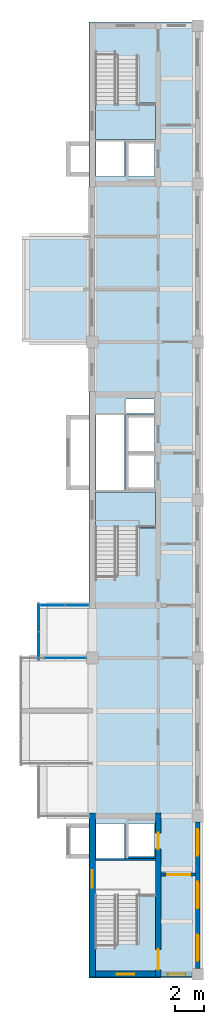
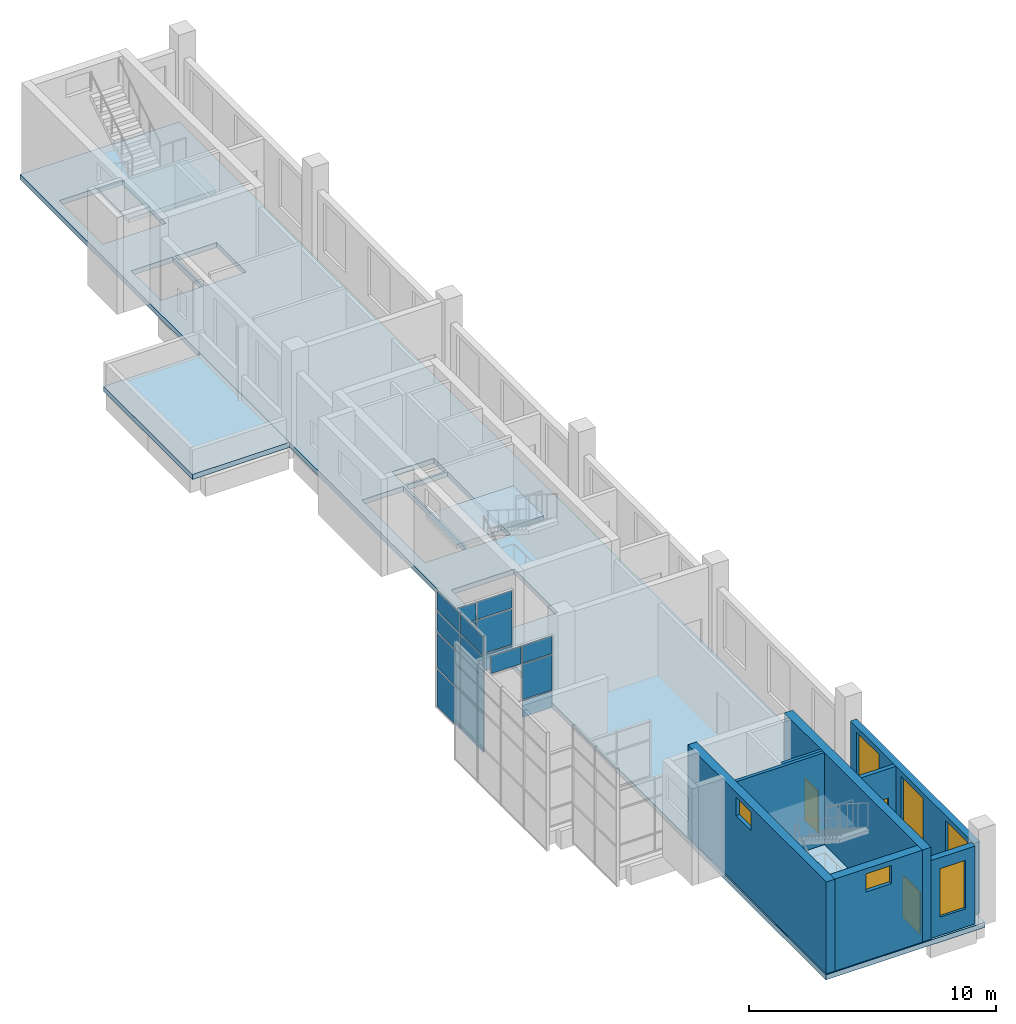
# One storey, part 5 of 9: 18 plates, 8 walls, 6 windows, 4 slabs, 3 doors, 9 openings, 5 elements without a shape of their own.
"""IFC4 building model written with IfcOpenShell, lengths in metres."""

from ifc_helpers import new_model, si_unit, direction, frame, frame_2d, origin, origin_2d, place, context, subcontext, project, spatial, polyline, rectangle, outline, extrude, material, layer, layer_set, type_object, element, fill, aggregate, save


model = new_model("IFC4")

# Units and contexts
model_context = context("Model", 3, precision=1e-05, world=origin(), true_north=direction((0.0, 1.0)))
body_context = subcontext(model_context, "Body", "Model", "MODEL_VIEW")
ifc_project = project(units=[si_unit("LENGTHUNIT", "METRE"), si_unit("AREAUNIT", "SQUARE_METRE"), si_unit("VOLUMEUNIT", "CUBIC_METRE"), si_unit("PLANEANGLEUNIT", "RADIAN"), si_unit("MASSUNIT", "GRAM", prefix="KILO")], contexts=[model_context])

# Site, building, storey
site_placement = place(None, origin())
site = spatial("IfcSite", under=ifc_project, at=site_placement, CompositionType="ELEMENT")
building_placement = place(site_placement, origin())
building = spatial("IfcBuilding", under=site, at=building_placement, Name="Basin Gate Institute", CompositionType="ELEMENT")
storey_placement = place(building_placement, frame((0.0, 0.0, 70.199951171875)))
storey = spatial("IfcBuildingStorey", under=building, at=storey_placement, Name="L14", CompositionType="ELEMENT", Elevation=70.199951171875)

# Slabs
ifc_material_1 = material(Name="Concrete 40 MPa", Category="concrete")
ifc_layer_1 = layer(ifc_material_1, 0.25)
ifc_layer_set_1 = layer_set([ifc_layer_1], Name="Concrete 40 MPa")
slab_type_1 = type_object("IfcSlabType", Name="Slab RS4 R60", PredefinedType="ROOF", material=ifc_layer_set_1)
slab_1_placement = place(storey_placement, frame((0.0, 0.0, -0.25)))
element("IfcSlab", 1, at=slab_1_placement, inside=storey, type_object=slab_type_1, material=ifc_layer_set_1, Name="SLAB/L14/WK22", PredefinedType="ROOF", context=body_context, shape_type="SweptSolid", body=[
    extrude(outline(polyline([(60.949951171875, 78.300048828125), (56.39990234375, 78.300048828125), (56.39990234375, 85.5), (60.949951171875, 85.5), (60.949951171875, 78.300048828125)])), origin(), (0.0, 0.0, 1.0), 0.25),
])
ifc_material_2 = material(Name="Concrete 40 MPa", Category="concrete")
ifc_layer_2 = layer(ifc_material_2, 0.25)
ifc_layer_set_2 = layer_set([ifc_layer_2], Name="Concrete 40 MPa")
slab_type_2 = type_object("IfcSlabType", Name="Slab SL4 R60", PredefinedType="FLOOR", material=ifc_layer_set_2)
slab_2_placement = place(storey_placement, frame((0.0, 0.0, -0.25)))
element("IfcSlab", 2, at=slab_2_placement, inside=storey, type_object=slab_type_2, material=ifc_layer_set_2, Name="SLAB/L14/W", PredefinedType="FLOOR", context=body_context, shape_type="SweptSolid", body=[
    extrude(outline(polyline([(60.949951171875, 34.85009765625), (68.39990234375, 34.85009765625), (68.39990234375, 100.14990234375), (60.949951171875, 100.14990234375), (60.949951171875, 34.85009765625)]), holes=[polyline([(61.39990234375, 37.25), (64.35009765625, 37.25), (64.35009765625, 40.7900390625), (61.39990234375, 40.7900390625), (61.39990234375, 37.25)]), polyline([(61.39990234375, 62.449951171875), (64.35009765625, 62.449951171875), (64.35009765625, 65.989990234375), (61.39990234375, 65.989990234375), (61.39990234375, 62.449951171875)]), polyline([(61.39990234375, 94.2099609375), (64.35009765625, 94.2099609375), (64.35009765625, 97.75), (61.39990234375, 97.75), (61.39990234375, 94.2099609375)]), polyline([(61.449951171875, 43.0), (63.39990234375, 43.0), (63.39990234375, 45.39990234375), (61.449951171875, 45.39990234375), (61.449951171875, 43.0)]), polyline([(61.449951171875, 68.199951171875), (63.39990234375, 68.199951171875), (63.39990234375, 73.300048828125), (61.449951171875, 73.300048828125), (61.449951171875, 68.199951171875)]), polyline([(63.5, 73.39990234375), (65.449951171875, 73.39990234375), (65.449951171875, 74.39990234375), (63.5, 74.39990234375), (63.5, 73.39990234375)]), polyline([(61.449951171875, 89.60009765625), (63.39990234375, 89.60009765625), (63.39990234375, 92.0), (61.449951171875, 92.0), (61.449951171875, 89.60009765625)]), polyline([(63.5, 43.0), (65.449951171875, 43.0), (65.449951171875, 45.39990234375), (63.5, 45.39990234375), (63.5, 43.0)]), polyline([(65.449951171875, 68.199951171875), (63.5, 68.199951171875), (63.5, 73.300048828125), (65.449951171875, 73.300048828125), (65.449951171875, 68.199951171875)]), polyline([(63.5, 89.60009765625), (65.449951171875, 89.60009765625), (65.449951171875, 92.0), (63.5, 92.0), (63.5, 89.60009765625)])]), origin(), (0.0, 0.0, 1.0), 0.25),
])

# Curtain wall, plate
ifc_material_3 = material(Name="Aluminium-framed glazing", Category="aluminium")
ifc_layer_3 = layer(ifc_material_3, 0.14990234375)
ifc_layer_set_3 = layer_set([ifc_layer_3], Name="Capsule front curtain wall CW1")
curtain_wall_type = type_object("IfcCurtainWallType", Name="Capsule front curtain wall CW1", PredefinedType="NOTDEFINED", material=ifc_layer_set_3)
curtain_wall_1_placement = place(storey_placement, origin())
curtain_wall_1 = element("IfcCurtainWall", 3, at=curtain_wall_1_placement, inside=storey, type_object=curtain_wall_type, material=ifc_layer_set_3, Name="Capsule front curtain wall W wing capsule end L14 line 7", PredefinedType="NOTDEFINED")
ifc_material_4 = material(Name="Aluminium insulated spandrel panel", Category="aluminium")
ifc_layer_4 = layer(ifc_material_4, 0.050048828125)
ifc_layer_set_4 = layer_set([ifc_layer_4], Name="Spandrel panel PN2")
plate_type_1 = type_object("IfcPlateType", Name="Spandrel panel PN2", PredefinedType="CURTAIN_PANEL", material=ifc_layer_set_4)
plate_1_placement = place(storey_placement, frame((60.05419921875, 56.699951171875, 0.06005859375), z_axis=(0.0, 0.0, 1.0), x_axis=(1.0, 0.0, 0.0)))
plate_1 = element("IfcPlate", 4, at=plate_1_placement, type_object=plate_type_1, material=ifc_layer_set_4, Name="CW1 spandrel panel 3.1", PredefinedType="CURTAIN_PANEL", context=body_context, shape_type="SweptSolid", body=[
    extrude(rectangle(XDim=1.3916015625, YDim=0.050048828125, at=origin_2d()), origin(), (0.0, 0.0, 1.0), 0.81005859375),
])

# Curtain wall, plates
curtain_wall_2_placement = place(storey_placement, origin())
curtain_wall_2 = element("IfcCurtainWall", 5, at=curtain_wall_2_placement, inside=storey, type_object=curtain_wall_type, material=ifc_layer_set_3, Name="Capsule front curtain wall W wing capsule end L14 line 8", PredefinedType="NOTDEFINED")
plate_2_placement = place(storey_placement, frame((58.46240234375, 60.300048828125, 0.06005859375), z_axis=(0.0, 0.0, 1.0), x_axis=(1.0, 0.0, 0.0)))
plate_2 = element("IfcPlate", 6, at=plate_2_placement, type_object=plate_type_1, material=ifc_layer_set_4, Name="CW1 spandrel panel 1.1", PredefinedType="CURTAIN_PANEL", context=body_context, shape_type="SweptSolid", body=[
    extrude(rectangle(XDim=1.625, YDim=0.050048828125, at=origin_2d()), origin(), (0.0, 0.0, 1.0), 0.81005859375),
])
plate_3_placement = place(storey_placement, frame((60.137451171875, 60.300048828125, 0.06005859375), z_axis=(0.0, 0.0, 1.0), x_axis=(1.0, 0.0, 0.0)))
plate_3 = element("IfcPlate", 7, at=plate_3_placement, type_object=plate_type_1, material=ifc_layer_set_4, Name="CW1 spandrel panel 2.1", PredefinedType="CURTAIN_PANEL", context=body_context, shape_type="SweptSolid", body=[
    extrude(rectangle(XDim=1.625, YDim=0.050048828125, at=origin_2d()), origin(), (0.0, 0.0, 1.0), 0.81005859375),
])

curtain_wall_3_placement = place(storey_placement, origin())
curtain_wall_3 = element("IfcCurtainWall", 8, at=curtain_wall_3_placement, inside=storey, type_object=curtain_wall_type, material=ifc_layer_set_3, Name="Capsule front curtain wall W wing capsule 1 L14 front 4", PredefinedType="NOTDEFINED")
plate_4_placement = place(storey_placement, frame((57.52490234375, 57.53759765625, -0.990234375), z_axis=(0.0, 0.0, 1.0), x_axis=(0.0, 1.0, 0.0)))
plate_4 = element("IfcPlate", 9, at=plate_4_placement, type_object=plate_type_1, material=ifc_layer_set_4, Name="CW1 spandrel panel 1.1", PredefinedType="CURTAIN_PANEL", context=body_context, shape_type="SweptSolid", body=[
    extrude(rectangle(XDim=1.875, YDim=0.050048828125, at=origin_2d()), origin(), (0.0, 0.0, 1.0), 1.860107421875),
])
plate_5_placement = place(storey_placement, frame((57.52490234375, 57.53759765625, 3.780029296875), z_axis=(0.0, 0.0, 1.0), x_axis=(0.0, 1.0, 0.0)))
plate_5 = element("IfcPlate", 10, at=plate_5_placement, type_object=plate_type_1, material=ifc_layer_set_4, Name="CW1 spandrel panel 1.4", PredefinedType="CURTAIN_PANEL", context=body_context, shape_type="SweptSolid", body=[
    extrude(rectangle(XDim=1.875, YDim=0.050048828125, at=origin_2d()), origin(), (0.0, 0.0, 1.0), 0.9599609375),
])
plate_6_placement = place(storey_placement, frame((57.52490234375, 59.46240234375, -0.990234375), z_axis=(0.0, 0.0, 1.0), x_axis=(0.0, 1.0, 0.0)))
plate_6 = element("IfcPlate", 11, at=plate_6_placement, type_object=plate_type_1, material=ifc_layer_set_4, Name="CW1 spandrel panel 2.1", PredefinedType="CURTAIN_PANEL", context=body_context, shape_type="SweptSolid", body=[
    extrude(rectangle(XDim=1.875, YDim=0.050048828125, at=origin_2d()), origin(), (0.0, 0.0, 1.0), 1.860107421875),
])
plate_7_placement = place(storey_placement, frame((57.52490234375, 59.46240234375, 3.780029296875), z_axis=(0.0, 0.0, 1.0), x_axis=(0.0, 1.0, 0.0)))
plate_7 = element("IfcPlate", 12, at=plate_7_placement, type_object=plate_type_1, material=ifc_layer_set_4, Name="CW1 spandrel panel 2.4", PredefinedType="CURTAIN_PANEL", context=body_context, shape_type="SweptSolid", body=[
    extrude(rectangle(XDim=1.875, YDim=0.050048828125, at=origin_2d()), origin(), (0.0, 0.0, 1.0), 0.9599609375),
])

# Stair, slab
ifc_material_5 = material(Name="Concrete 40 MPa", Category="concrete")
stair_type = type_object("IfcStairType", Name="Stair ST", PredefinedType="HALF_TURN_STAIR", material=ifc_material_5)
stair_1_placement = place(storey_placement, origin())
stair_1 = element("IfcStair", 13, at=stair_1_placement, inside=storey, type_object=stair_type, material=ifc_material_5, Name="Special safe stair ST-WM L14", PredefinedType="HALF_TURN_STAIR")
ifc_material_6 = material(Name="Concrete 40 MPa", Category="concrete")
ifc_layer_5 = layer(ifc_material_6, 0.199951171875)
ifc_layer_set_5 = layer_set([ifc_layer_5], Name="Concrete 40 MPa")
slab_type_3 = type_object("IfcSlabType", Name="Stair landing LN REI 60", PredefinedType="LANDING", material=ifc_layer_set_5)
slab_3_placement = place(storey_placement, frame((0.0, 0.0, 2.288818359375)))
slab_3 = element("IfcSlab", 14, at=slab_3_placement, type_object=slab_type_3, material=ifc_layer_set_5, Name="Stair landing ST-WM-L1 L14", PredefinedType="LANDING", context=body_context, shape_type="SweptSolid", body=[
    extrude(outline(polyline([(61.39990234375, 65.570068359375), (65.5, 65.570068359375), (65.5, 68.050048828125), (61.39990234375, 68.050048828125), (61.39990234375, 65.570068359375)])), origin(), (0.0, 0.0, 1.0), 0.2001953125),
])
aggregate(stair_1, [slab_3])

stair_2_placement = place(storey_placement, origin())
stair_2 = element("IfcStair", 15, at=stair_2_placement, inside=storey, type_object=stair_type, material=ifc_material_5, Name="Special safe stair ST-WN L14", PredefinedType="HALF_TURN_STAIR")
slab_4_placement = place(storey_placement, frame((0.0, 0.0, 2.288818359375)))
slab_4 = element("IfcSlab", 16, at=slab_4_placement, type_object=slab_type_3, material=ifc_layer_set_5, Name="Stair landing ST-WN-L1 L14", PredefinedType="LANDING", context=body_context, shape_type="SweptSolid", body=[
    extrude(outline(polyline([(61.39990234375, 92.14990234375), (65.5, 92.14990234375), (65.5, 94.6298828125), (61.39990234375, 94.6298828125), (61.39990234375, 92.14990234375)])), origin(), (0.0, 0.0, 1.0), 0.2001953125),
])
aggregate(stair_2, [slab_4])

# Plate
ifc_material_7 = material(Name="Double glazed unit")
ifc_layer_6 = layer(ifc_material_7, 0.028076171875)
ifc_layer_set_6 = layer_set([ifc_layer_6], Name="Vision panel PN1")
plate_type_2 = type_object("IfcPlateType", Name="Vision panel PN1", PredefinedType="CURTAIN_PANEL", material=ifc_layer_set_6)
plate_8_placement = place(storey_placement, frame((58.60009765625, 56.699951171875, 2.72998046875), z_axis=(0.0, 0.0, 1.0), x_axis=(1.0, 0.0, 0.0)))
plate_8 = element("IfcPlate", 17, at=plate_8_placement, type_object=plate_type_2, material=ifc_layer_set_6, Name="CW1 vision panel 2.3", PredefinedType="CURTAIN_PANEL", context=body_context, shape_type="SweptSolid", body=[
    extrude(rectangle(XDim=1.416748046875, YDim=0.028076171875, at=origin_2d()), origin(), (0.0, 0.0, 1.0), 0.860107421875),
])

plate_9_placement = place(storey_placement, frame((60.05419921875, 56.699951171875, 0.93017578125), z_axis=(0.0, 0.0, 1.0), x_axis=(1.0, 0.0, 0.0)))
plate_9 = element("IfcPlate", 18, at=plate_9_placement, type_object=plate_type_2, material=ifc_layer_set_6, Name="CW1 vision panel 3.2", PredefinedType="CURTAIN_PANEL", context=body_context, shape_type="SweptSolid", body=[
    extrude(rectangle(XDim=1.3916015625, YDim=0.028076171875, at=origin_2d()), origin(), (0.0, 0.0, 1.0), 1.739990234375),
])

plate_10_placement = place(storey_placement, frame((60.05419921875, 56.699951171875, 2.72998046875), z_axis=(0.0, 0.0, 1.0), x_axis=(1.0, 0.0, 0.0)))
plate_10 = element("IfcPlate", 19, at=plate_10_placement, type_object=plate_type_2, material=ifc_layer_set_6, Name="CW1 vision panel 3.3", PredefinedType="CURTAIN_PANEL", context=body_context, shape_type="SweptSolid", body=[
    extrude(rectangle(XDim=1.3916015625, YDim=0.028076171875, at=origin_2d()), origin(), (0.0, 0.0, 1.0), 0.860107421875),
])

aggregate(curtain_wall_1, [plate_8, plate_1, plate_9, plate_10])

plate_11_placement = place(storey_placement, frame((58.46240234375, 60.300048828125, 0.93017578125), z_axis=(0.0, 0.0, 1.0), x_axis=(1.0, 0.0, 0.0)))
plate_11 = element("IfcPlate", 20, at=plate_11_placement, type_object=plate_type_2, material=ifc_layer_set_6, Name="CW1 vision panel 1.2", PredefinedType="CURTAIN_PANEL", context=body_context, shape_type="SweptSolid", body=[
    extrude(rectangle(XDim=1.625, YDim=0.028076171875, at=origin_2d()), origin(), (0.0, 0.0, 1.0), 1.739990234375),
])

plate_12_placement = place(storey_placement, frame((58.46240234375, 60.300048828125, 2.72998046875), z_axis=(0.0, 0.0, 1.0), x_axis=(1.0, 0.0, 0.0)))
plate_12 = element("IfcPlate", 21, at=plate_12_placement, type_object=plate_type_2, material=ifc_layer_set_6, Name="CW1 vision panel 1.3", PredefinedType="CURTAIN_PANEL", context=body_context, shape_type="SweptSolid", body=[
    extrude(rectangle(XDim=1.625, YDim=0.028076171875, at=origin_2d()), origin(), (0.0, 0.0, 1.0), 0.860107421875),
])

plate_13_placement = place(storey_placement, frame((60.137451171875, 60.300048828125, 0.93017578125), z_axis=(0.0, 0.0, 1.0), x_axis=(1.0, 0.0, 0.0)))
plate_13 = element("IfcPlate", 22, at=plate_13_placement, type_object=plate_type_2, material=ifc_layer_set_6, Name="CW1 vision panel 2.2", PredefinedType="CURTAIN_PANEL", context=body_context, shape_type="SweptSolid", body=[
    extrude(rectangle(XDim=1.625, YDim=0.028076171875, at=origin_2d()), origin(), (0.0, 0.0, 1.0), 1.739990234375),
])

plate_14_placement = place(storey_placement, frame((60.137451171875, 60.300048828125, 2.72998046875), z_axis=(0.0, 0.0, 1.0), x_axis=(1.0, 0.0, 0.0)))
plate_14 = element("IfcPlate", 23, at=plate_14_placement, type_object=plate_type_2, material=ifc_layer_set_6, Name="CW1 vision panel 2.3", PredefinedType="CURTAIN_PANEL", context=body_context, shape_type="SweptSolid", body=[
    extrude(rectangle(XDim=1.625, YDim=0.028076171875, at=origin_2d()), origin(), (0.0, 0.0, 1.0), 0.860107421875),
])

aggregate(curtain_wall_2, [plate_2, plate_11, plate_12, plate_3, plate_13, plate_14])

plate_15_placement = place(storey_placement, frame((57.52490234375, 57.53759765625, 0.93017578125), z_axis=(0.0, 0.0, 1.0), x_axis=(0.0, 1.0, 0.0)))
plate_15 = element("IfcPlate", 24, at=plate_15_placement, type_object=plate_type_2, material=ifc_layer_set_6, Name="CW1 vision panel 1.2", PredefinedType="CURTAIN_PANEL", context=body_context, shape_type="SweptSolid", body=[
    extrude(rectangle(XDim=1.875, YDim=0.028076171875, at=origin_2d()), origin(), (0.0, 0.0, 1.0), 1.739990234375),
])

plate_16_placement = place(storey_placement, frame((57.52490234375, 57.53759765625, 2.72998046875), z_axis=(0.0, 0.0, 1.0), x_axis=(0.0, 1.0, 0.0)))
plate_16 = element("IfcPlate", 25, at=plate_16_placement, type_object=plate_type_2, material=ifc_layer_set_6, Name="CW1 vision panel 1.3", PredefinedType="CURTAIN_PANEL", context=body_context, shape_type="SweptSolid", body=[
    extrude(rectangle(XDim=1.875, YDim=0.028076171875, at=origin_2d()), origin(), (0.0, 0.0, 1.0), 0.989990234375),
])

plate_17_placement = place(storey_placement, frame((57.52490234375, 59.46240234375, 0.93017578125), z_axis=(0.0, 0.0, 1.0), x_axis=(0.0, 1.0, 0.0)))
plate_17 = element("IfcPlate", 26, at=plate_17_placement, type_object=plate_type_2, material=ifc_layer_set_6, Name="CW1 vision panel 2.2", PredefinedType="CURTAIN_PANEL", context=body_context, shape_type="SweptSolid", body=[
    extrude(rectangle(XDim=1.875, YDim=0.028076171875, at=origin_2d()), origin(), (0.0, 0.0, 1.0), 1.739990234375),
])

plate_18_placement = place(storey_placement, frame((57.52490234375, 59.46240234375, 2.72998046875), z_axis=(0.0, 0.0, 1.0), x_axis=(0.0, 1.0, 0.0)))
plate_18 = element("IfcPlate", 27, at=plate_18_placement, type_object=plate_type_2, material=ifc_layer_set_6, Name="CW1 vision panel 2.3", PredefinedType="CURTAIN_PANEL", context=body_context, shape_type="SweptSolid", body=[
    extrude(rectangle(XDim=1.875, YDim=0.028076171875, at=origin_2d()), origin(), (0.0, 0.0, 1.0), 0.989990234375),
])

aggregate(curtain_wall_3, [plate_4, plate_15, plate_16, plate_5, plate_6, plate_17, plate_18, plate_7])

# Wall, opening, door
ifc_material_8 = material(Name="Fire-rated masonry", Category="masonry")
ifc_layer_7 = layer(ifc_material_8, 0.199951171875)
ifc_layer_set_7 = layer_set([ifc_layer_7], Name="Enclosure wall PW2 200 EI 60")
wall_type_1 = type_object("IfcWallType", Name="Enclosure wall PW2 200 EI 60", PredefinedType="PARTITIONING", material=ifc_layer_set_7)
wall_1_placement = place(storey_placement, frame((65.89990234375, 41.89990234375, 0.0), z_axis=(0.0, 0.0, 1.0), x_axis=(1.0, 0.0, 0.0)))
wall_1 = element("IfcWall", 28, at=wall_1_placement, inside=storey, type_object=wall_type_1, material=ifc_layer_set_7, Name="Smoke lobby enclosure wall PW2 L14", PredefinedType="PARTITIONING", context=body_context, shape_type="SweptSolid", body=[
    extrude(rectangle(XDim=2.35009765625, YDim=0.199951171875, at=frame_2d((1.175048828125, 0.0))), origin(), (0.0, 0.0, 1.0), 3.550048828125),
])
opening_1_placement = place(wall_1_placement, frame((0.39990234375, 0.0, 0.0)))
opening_1 = element("IfcOpeningElement", 29, at=opening_1_placement, cuts=wall_1, Name="Opening DR525", PredefinedType="OPENING", context=body_context, shape_type="SweptSolid", body=[
    extrude(rectangle(XDim=1.60009765625, YDim=2.10009765625, at=frame_2d((0.800048828125, 1.050048828125))), frame((0.0, 0.10986328125, 0.0), z_axis=(0.0, -1.0, 0.0), x_axis=(1.0, 0.0, 0.0)), (0.0, 0.0, 1.0), 0.219970703125),
])
ifc_material_9 = material(Name="Steel fire door", Category="steel")
door_type_1 = type_object("IfcDoorType", Name="FD60 Smoke lobby door pair D8", OperationType="DOUBLE_DOOR_SINGLE_SWING", PredefinedType="DOOR", material=ifc_material_9)
door_1_placement = place(opening_1_placement, frame((1.60009765625, 0.0, 0.0), z_axis=(0.0, 0.0, 1.0), x_axis=(-1.0, 0.0, 0.0)))
door_1 = element("IfcDoor", 30, at=door_1_placement, inside=storey, type_object=door_type_1, material=ifc_material_9, Name="Smoke lobby door SS1 L14", OperationType="DOUBLE_DOOR_SINGLE_SWING", OverallHeight=2.10009765625, OverallWidth=1.60009765625, PredefinedType="DOOR", context=body_context, shape_type="SweptSolid", body=[
    extrude(rectangle(XDim=1.60009765625, YDim=2.10009765625, at=frame_2d((0.800048828125, 1.050048828125))), frame((0.0, 0.02490234375, 0.0), z_axis=(0.0, -1.0, 0.0), x_axis=(1.0, 0.0, 0.0)), (0.0, 0.0, 1.0), 0.050048828125),
])
fill(opening_1, door_1)

# Wall, opening, window
ifc_material_10 = material(Name="Aluminium-faced insulated panel wall", Category="aluminium")
ifc_layer_8 = layer(ifc_material_10, 0.300048828125)
ifc_layer_set_8 = layer_set([ifc_layer_8], Name="External wall EW5 EI 60")
wall_type_2 = type_object("IfcWallType", Name="External wall EW5 EI 60", PredefinedType="STANDARD", material=ifc_layer_set_8)
wall_2_placement = place(storey_placement, frame((65.89990234375, 35.10009765625, 0.0), z_axis=(0.0, 0.0, 1.0), x_axis=(1.0, 0.0, 0.0)))
wall_2 = element("IfcWall", 31, at=wall_2_placement, inside=storey, type_object=wall_type_2, material=ifc_layer_set_8, Name="External end wall W wing south L14 1", PredefinedType="STANDARD", context=body_context, shape_type="SweptSolid", body=[
    extrude(rectangle(XDim=2.10009765625, YDim=0.300048828125, at=frame_2d((1.050048828125, 0.0))), origin(), (0.0, 0.0, 1.0), 3.85009765625),
])
opening_2_placement = place(wall_2_placement, frame((0.449951171875, 0.0, 0.89990234375)))
opening_2 = element("IfcOpeningElement", 32, at=opening_2_placement, cuts=wall_2, Name="Opening WN4", PredefinedType="OPENING", context=body_context, shape_type="SweptSolid", body=[
    extrude(rectangle(XDim=1.199951171875, YDim=2.39990234375, at=frame_2d((0.60009765625, 1.199951171875))), frame((0.0, 0.16015625, 0.0), z_axis=(0.0, -1.0, 0.0), x_axis=(1.0, 0.0, 0.0)), (0.0, 0.0, 1.0), 0.320068359375),
])
ifc_material_11 = material(Name="Aluminium-framed double glazing", Category="aluminium")
window_type_1 = type_object("IfcWindowType", Name="Corridor end window WN4", PartitioningType="SINGLE_PANEL", PredefinedType="WINDOW", material=ifc_material_11)
window_1_placement = place(opening_2_placement, origin())
window_1 = element("IfcWindow", 33, at=window_1_placement, inside=storey, type_object=window_type_1, material=ifc_material_11, Name="Corridor end window W wing S L14", OverallHeight=2.39990234375, OverallWidth=1.199951171875, PartitioningType="SINGLE_PANEL", PredefinedType="WINDOW", context=body_context, shape_type="SweptSolid", body=[
    extrude(rectangle(XDim=1.199951171875, YDim=2.39990234375, at=frame_2d((0.60009765625, 1.199951171875))), frame((0.0, 0.030029296875, 0.0), z_axis=(0.0, -1.0, 0.0), x_axis=(1.0, 0.0, 0.0)), (0.0, 0.0, 1.0), 0.06005859375),
])
fill(opening_2, window_1)

# Wall, openings, windows
wall_3_placement = place(storey_placement, frame((68.39990234375, 35.5, 0.0), z_axis=(0.0, 0.0, 1.0), x_axis=(0.0, 1.0, 0.0)))
wall_3 = element("IfcWall", 34, at=wall_3_placement, inside=storey, type_object=wall_type_2, material=ifc_layer_set_8, Name="External wall W step face L14 bay 1", PredefinedType="STANDARD", context=body_context, shape_type="SweptSolid", body=[
    extrude(rectangle(XDim=10.0, YDim=0.300048828125, at=frame_2d((5.0, 0.0))), origin(), (0.0, 0.0, 1.0), 3.550048828125),
])
opening_3_placement = place(wall_3_placement, frame((0.5, 0.0, 0.89990234375)))
opening_3 = element("IfcOpeningElement", 35, at=opening_3_placement, cuts=wall_3, Name="Opening WN6", PredefinedType="OPENING", context=body_context, shape_type="SweptSolid", body=[
    extrude(rectangle(XDim=1.800048828125, YDim=2.39990234375, at=frame_2d((0.89990234375, 1.199951171875))), frame((0.0, 0.16015625, 0.0), z_axis=(0.0, -1.0, 0.0), x_axis=(1.0, 0.0, 0.0)), (0.0, 0.0, 1.0), 0.320068359375),
])
opening_4_placement = place(wall_3_placement, frame((4.10009765625, 0.0, 0.89990234375)))
opening_4 = element("IfcOpeningElement", 36, at=opening_4_placement, cuts=wall_3, Name="Opening WN6", PredefinedType="OPENING", context=body_context, shape_type="SweptSolid", body=[
    extrude(rectangle(XDim=1.800048828125, YDim=2.39990234375, at=frame_2d((0.89990234375, 1.199951171875))), frame((0.0, 0.16015625, 0.0), z_axis=(0.0, -1.0, 0.0), x_axis=(1.0, 0.0, 0.0)), (0.0, 0.0, 1.0), 0.320068359375),
])
opening_5_placement = place(wall_3_placement, frame((7.699951171875, 0.0, 0.89990234375)))
opening_5 = element("IfcOpeningElement", 37, at=opening_5_placement, cuts=wall_3, Name="Opening WN6", PredefinedType="OPENING", context=body_context, shape_type="SweptSolid", body=[
    extrude(rectangle(XDim=1.800048828125, YDim=2.39990234375, at=frame_2d((0.89990234375, 1.199951171875))), frame((0.0, 0.16015625, 0.0), z_axis=(0.0, -1.0, 0.0), x_axis=(1.0, 0.0, 0.0)), (0.0, 0.0, 1.0), 0.320068359375),
])
ifc_material_12 = material(Name="Fire-resistant glazing in steel-free frame", Category="steel")
window_type_2 = type_object("IfcWindowType", Name="Fire-rated fixed step window WN6", PartitioningType="SINGLE_PANEL", PredefinedType="WINDOW", material=ifc_material_12)
window_2_placement = place(opening_3_placement, origin())
window_2 = element("IfcWindow", 38, at=window_2_placement, inside=storey, type_object=window_type_2, material=ifc_material_12, Name="Fire-rated fixed step window W step face L14 bay 1.1", OverallHeight=2.39990234375, OverallWidth=1.800048828125, PartitioningType="SINGLE_PANEL", PredefinedType="WINDOW", context=body_context, shape_type="SweptSolid", body=[
    extrude(rectangle(XDim=1.800048828125, YDim=2.39990234375, at=frame_2d((0.89990234375, 1.199951171875))), frame((0.0, 0.030029296875, 0.0), z_axis=(0.0, -1.0, 0.0), x_axis=(1.0, 0.0, 0.0)), (0.0, 0.0, 1.0), 0.06005859375),
])
fill(opening_3, window_2)
window_3_placement = place(opening_4_placement, origin())
window_3 = element("IfcWindow", 39, at=window_3_placement, inside=storey, type_object=window_type_2, material=ifc_material_12, Name="Fire-rated fixed step window W step face L14 bay 1.2", OverallHeight=2.39990234375, OverallWidth=1.800048828125, PartitioningType="SINGLE_PANEL", PredefinedType="WINDOW", context=body_context, shape_type="SweptSolid", body=[
    extrude(rectangle(XDim=1.800048828125, YDim=2.39990234375, at=frame_2d((0.89990234375, 1.199951171875))), frame((0.0, 0.030029296875, 0.0), z_axis=(0.0, -1.0, 0.0), x_axis=(1.0, 0.0, 0.0)), (0.0, 0.0, 1.0), 0.06005859375),
])
fill(opening_4, window_3)
window_4_placement = place(opening_5_placement, origin())
window_4 = element("IfcWindow", 40, at=window_4_placement, inside=storey, type_object=window_type_2, material=ifc_material_12, Name="Fire-rated fixed step window W step face L14 bay 1.3", OverallHeight=2.39990234375, OverallWidth=1.800048828125, PartitioningType="SINGLE_PANEL", PredefinedType="WINDOW", context=body_context, shape_type="SweptSolid", body=[
    extrude(rectangle(XDim=1.800048828125, YDim=2.39990234375, at=frame_2d((0.89990234375, 1.199951171875))), frame((0.0, 0.030029296875, 0.0), z_axis=(0.0, -1.0, 0.0), x_axis=(1.0, 0.0, 0.0)), (0.0, 0.0, 1.0), 0.06005859375),
])
fill(opening_5, window_4)

# Walls
ifc_material_13 = material(Name="Concrete 40 MPa", Category="concrete")
ifc_layer_9 = layer(ifc_material_13, 0.14990234375)
ifc_layer_set_9 = layer_set([ifc_layer_9], Name="Concrete 40 MPa")
wall_type_3 = type_object("IfcWallType", Name="Wall LS1 lift shaft enclosure R60", PredefinedType="SOLIDWALL", material=ifc_layer_set_9)
wall_4_placement = place(storey_placement, frame((63.64990234375, 43.074951171875, 0.0), z_axis=(0.0, 0.0, 1.0), x_axis=(1.0, 0.0, 0.0)))
element("IfcWall", 41, at=wall_4_placement, inside=storey, type_object=wall_type_3, material=ifc_layer_set_9, Name="Lift shaft enclosure LP1 L14 RL", PredefinedType="SOLIDWALL", context=body_context, shape_type="SweptSolid", body=[
    extrude(rectangle(XDim=1.85009765625, YDim=0.14990234375, at=frame_2d((0.925048828125, 0.0))), origin(), (0.0, 0.0, 1.0), 4.550048828125),
])
ifc_material_14 = material(Name="Concrete 40 MPa", Category="concrete")
ifc_layer_10 = layer(ifc_material_14, 0.14990234375)
ifc_layer_set_10 = layer_set([ifc_layer_10], Name="Concrete 40 MPa")
wall_type_4 = type_object("IfcWallType", Name="Wall SE1 stair enclosure R60", PredefinedType="SOLIDWALL", material=ifc_layer_set_10)
wall_5_placement = place(storey_placement, frame((61.39990234375, 42.925048828125, 0.0), z_axis=(0.0, 0.0, 1.0), x_axis=(1.0, 0.0, 0.0)))
element("IfcWall", 42, at=wall_5_placement, inside=storey, type_object=wall_type_4, material=ifc_layer_set_10, Name="Stair enclosure wall ST-WS L14", PredefinedType="SOLIDWALL", context=body_context, shape_type="SweptSolid", body=[
    extrude(rectangle(XDim=4.10009765625, YDim=0.14990234375, at=frame_2d((2.050048828125, 0.0))), origin(), (0.0, 0.0, 1.0), 4.550048828125),
])

# Wall, opening, window
ifc_material_15 = material(Name="Concrete 50 MPa", Category="concrete")
ifc_layer_11 = layer(ifc_material_15, 0.39990234375)
ifc_layer_set_11 = layer_set([ifc_layer_11], Name="Concrete 50 MPa")
wall_type_5 = type_object("IfcWallType", Name="Wall SW2 R60", PredefinedType="SHEAR", material=ifc_layer_set_11)
wall_6_placement = place(storey_placement, frame((61.199951171875, 34.89990234375, 0.0), z_axis=(0.0, 0.0, 1.0), x_axis=(0.0, 1.0, 0.0)))
wall_6 = element("IfcWall", 43, at=wall_6_placement, inside=storey, type_object=wall_type_5, material=ifc_layer_set_11, Name="WALL/L14/WS/L", PredefinedType="SHEAR", context=body_context, shape_type="SweptSolid", body=[
    extrude(rectangle(XDim=11.2001953125, YDim=0.39990234375, at=frame_2d((5.60009765625, 0.0))), origin(), (0.0, 0.0, 1.0), 4.550048828125),
])
opening_6_placement = place(wall_6_placement, frame((6.110107421875, 0.0, 3.39990234375)))
opening_6 = element("IfcOpeningElement", 44, at=opening_6_placement, cuts=wall_6, Name="Opening WT3", PredefinedType="OPENING", context=body_context, shape_type="SweptSolid", body=[
    extrude(rectangle(XDim=1.199951171875, YDim=0.89990234375, at=frame_2d((0.60009765625, 0.449951171875))), frame((0.0, 0.2099609375, 0.0), z_axis=(0.0, -1.0, 0.0), x_axis=(1.0, 0.0, 0.0)), (0.0, 0.0, 1.0), 0.419921875),
])
ifc_material_16 = material(Name="Fire-resistant glazing in steel-free frame", Category="steel")
window_type_3 = type_object("IfcWindowType", Name="Rated stair window EI 60 WT3", PartitioningType="SINGLE_PANEL", PredefinedType="WINDOW", material=ifc_material_16)
window_5_placement = place(opening_6_placement, origin())
window_5 = element("IfcWindow", 45, at=window_5_placement, inside=storey, type_object=window_type_3, material=ifc_material_16, Name="Rated stair window EI 60 WS landing L14", OverallHeight=0.89990234375, OverallWidth=1.199951171875, PartitioningType="SINGLE_PANEL", PredefinedType="WINDOW", context=body_context, shape_type="SweptSolid", body=[
    extrude(rectangle(XDim=1.199951171875, YDim=0.89990234375, at=frame_2d((0.60009765625, 0.449951171875))), frame((0.0, 0.030029296875, 0.0), z_axis=(0.0, -1.0, 0.0), x_axis=(1.0, 0.0, 0.0)), (0.0, 0.0, 1.0), 0.06005859375),
])
fill(opening_6, window_5)

# Wall, openings, doors
wall_7_placement = place(storey_placement, frame((65.699951171875, 34.89990234375, 0.0), z_axis=(0.0, 0.0, 1.0), x_axis=(0.0, 1.0, 0.0)))
wall_7 = element("IfcWall", 46, at=wall_7_placement, inside=storey, type_object=wall_type_5, material=ifc_layer_set_11, Name="WALL/L14/WS/C", PredefinedType="SHEAR", context=body_context, shape_type="SweptSolid", body=[
    extrude(rectangle(XDim=11.2001953125, YDim=0.39990234375, at=frame_2d((5.60009765625, 0.0))), origin(), (0.0, 0.0, 1.0), 4.550048828125),
])
opening_7_placement = place(wall_7_placement, frame((0.5, 0.0, 0.0)))
opening_7 = element("IfcOpeningElement", 47, at=opening_7_placement, cuts=wall_7, Name="Opening DS070", PredefinedType="OPENING", context=body_context, shape_type="SweptSolid", body=[
    extrude(rectangle(XDim=1.39990234375, YDim=2.10009765625, at=frame_2d((0.699951171875, 1.050048828125))), frame((0.0, 0.2099609375, 0.0), z_axis=(0.0, -1.0, 0.0), x_axis=(1.0, 0.0, 0.0)), (0.0, 0.0, 1.0), 0.419921875),
])
opening_8_placement = place(wall_7_placement, frame((8.75, 0.0, 0.0)))
opening_8 = element("IfcOpeningElement", 48, at=opening_8_placement, cuts=wall_7, Name="Opening LD017", PredefinedType="OPENING", context=body_context, shape_type="SweptSolid", body=[
    extrude(rectangle(XDim=1.10009765625, YDim=2.10009765625, at=frame_2d((0.550048828125, 1.050048828125))), frame((0.0, 0.2099609375, 0.0), z_axis=(0.0, -1.0, 0.0), x_axis=(1.0, 0.0, 0.0)), (0.0, 0.0, 1.0), 0.419921875),
])
ifc_material_17 = material(Name="Steel fire door", Category="steel")
door_type_2 = type_object("IfcDoorType", Name="FD30 Stair enclosure door DS", OperationType="DOUBLE_DOOR_SINGLE_SWING", PredefinedType="DOOR", material=ifc_material_17)
door_2_placement = place(opening_7_placement, origin())
door_2 = element("IfcDoor", 49, at=door_2_placement, inside=storey, type_object=door_type_2, material=ifc_material_17, Name="Stair enclosure door ST-WS L14", OperationType="DOUBLE_DOOR_SINGLE_SWING", OverallHeight=2.10009765625, OverallWidth=1.39990234375, PredefinedType="DOOR", context=body_context, shape_type="SweptSolid", body=[
    extrude(rectangle(XDim=1.39990234375, YDim=2.10009765625, at=frame_2d((0.699951171875, 1.050048828125))), frame((0.0, 0.02490234375, 0.0), z_axis=(0.0, -1.0, 0.0), x_axis=(1.0, 0.0, 0.0)), (0.0, 0.0, 1.0), 0.050048828125),
])
fill(opening_7, door_2)
ifc_material_18 = material(Name="Stainless steel", Category="steel")
door_type_3 = type_object("IfcDoorType", Name="FD60 Lift landing door LD", OperationType="SLIDING_TO_LEFT", PredefinedType="DOOR", material=ifc_material_18)
door_3_placement = place(opening_8_placement, origin())
door_3 = element("IfcDoor", 50, at=door_3_placement, inside=storey, type_object=door_type_3, material=ifc_material_18, Name="Lift landing door LP1 L14", OperationType="SLIDING_TO_LEFT", OverallHeight=2.10009765625, OverallWidth=1.10009765625, PredefinedType="DOOR", context=body_context, shape_type="SweptSolid", body=[
    extrude(rectangle(XDim=1.10009765625, YDim=2.10009765625, at=frame_2d((0.550048828125, 1.050048828125))), frame((0.0, 0.02490234375, 0.0), z_axis=(0.0, -1.0, 0.0), x_axis=(1.0, 0.0, 0.0)), (0.0, 0.0, 1.0), 0.050048828125),
])
fill(opening_8, door_3)

# Wall, opening, window
wall_8_placement = place(storey_placement, frame((61.39990234375, 35.10009765625, 0.0), z_axis=(0.0, 0.0, 1.0), x_axis=(1.0, 0.0, 0.0)))
wall_8 = element("IfcWall", 51, at=wall_8_placement, inside=storey, type_object=wall_type_5, material=ifc_layer_set_11, Name="WALL/L14/WS/S", PredefinedType="SHEAR", context=body_context, shape_type="SweptSolid", body=[
    extrude(rectangle(XDim=4.10009765625, YDim=0.39990234375, at=frame_2d((2.050048828125, 0.0))), origin(), (0.0, 0.0, 1.0), 4.550048828125),
])
opening_9_placement = place(wall_8_placement, frame((1.449951171875, 0.0, 3.39990234375)))
opening_9 = element("IfcOpeningElement", 52, at=opening_9_placement, cuts=wall_8, Name="Opening WT3", PredefinedType="OPENING", context=body_context, shape_type="SweptSolid", body=[
    extrude(rectangle(XDim=1.199951171875, YDim=0.89990234375, at=frame_2d((0.60009765625, 0.449951171875))), frame((0.0, 0.2099609375, 0.0), z_axis=(0.0, -1.0, 0.0), x_axis=(1.0, 0.0, 0.0)), (0.0, 0.0, 1.0), 0.419921875),
])
window_6_placement = place(opening_9_placement, origin())
window_6 = element("IfcWindow", 53, at=window_6_placement, inside=storey, type_object=window_type_3, material=ifc_material_16, Name="Rated stair window EI 60 WS end L14", OverallHeight=0.89990234375, OverallWidth=1.199951171875, PartitioningType="SINGLE_PANEL", PredefinedType="WINDOW", context=body_context, shape_type="SweptSolid", body=[
    extrude(rectangle(XDim=1.199951171875, YDim=0.89990234375, at=frame_2d((0.60009765625, 0.449951171875))), frame((0.0, 0.030029296875, 0.0), z_axis=(0.0, -1.0, 0.0), x_axis=(1.0, 0.0, 0.0)), (0.0, 0.0, 1.0), 0.06005859375),
])
fill(opening_9, window_6)

save(model, "model.ifc")
